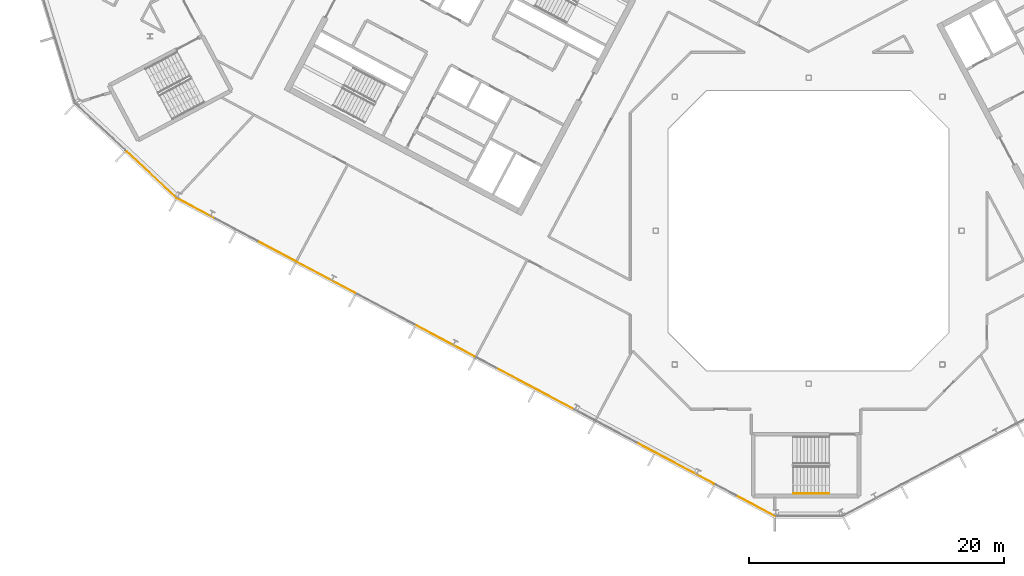
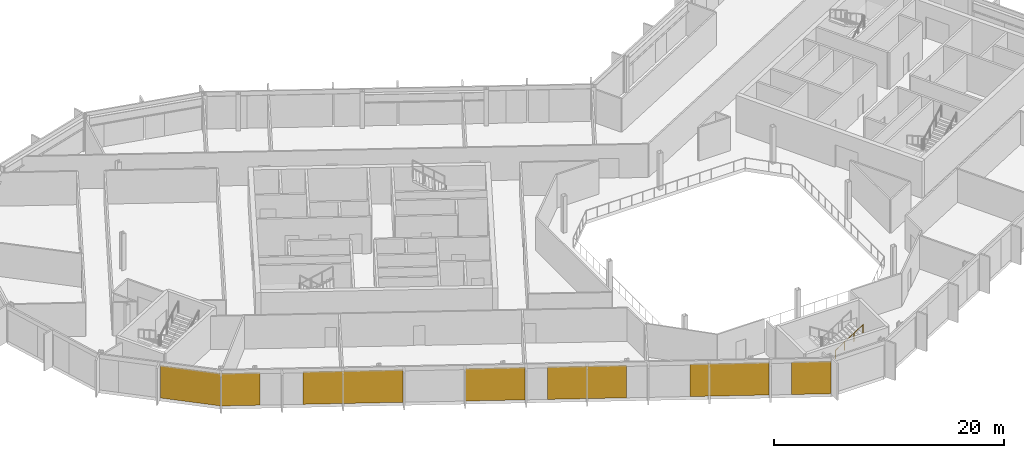
# One storey, part 19 of 26: 7 coverings, 1 railing, 2 elements without a shape of their own.
"""IFC4 building model written with IfcOpenShell, lengths in metres."""

from ifc_helpers import new_model, si_unit, direction, frame, origin, origin_2d, place, context, subcontext, project, spatial, polyline, rectangle, outline, extrude, material, layer, layer_set, type_object, element, aggregate, save


model = new_model("IFC4")

# Units and contexts
model_context = context("Model", 3, precision=1e-05, world=origin(), true_north=direction((0.0, 1.0)))
body_context = subcontext(model_context, "Body", "Model", "MODEL_VIEW")
ifc_project = project(units=[si_unit("LENGTHUNIT", "METRE"), si_unit("AREAUNIT", "SQUARE_METRE"), si_unit("VOLUMEUNIT", "CUBIC_METRE"), si_unit("PLANEANGLEUNIT", "RADIAN"), si_unit("MASSUNIT", "GRAM", prefix="KILO")], contexts=[model_context])

# Site, building, storey
site_placement = place(None, origin())
site = spatial("IfcSite", under=ifc_project, at=site_placement, CompositionType="ELEMENT")
building_placement = place(site_placement, origin())
building = spatial("IfcBuilding", under=site, at=building_placement, Name="Cormorant Relay Tower", CompositionType="ELEMENT")
storey_placement = place(building_placement, frame((0.0, 0.0, 269.699951171875)))
storey = spatial("IfcBuildingStorey", under=building, at=storey_placement, Name="L60", CompositionType="ELEMENT", Elevation=269.699951171875)

# Curtain wall, covering
ifc_material_1 = material(Name="Aluminium 6063-T6 anodised bronze", Category="aluminium")
ifc_layer_1 = layer(ifc_material_1, 0.199951171875)
ifc_layer_set_1 = layer_set([ifc_layer_1], Name="CW1 unitised bronze curtain wall with vertical fins")
curtain_wall_type = type_object("IfcCurtainWallType", Name="CW1 unitised bronze curtain wall with vertical fins", PredefinedType="NOTDEFINED", material=ifc_layer_set_1)
curtain_wall_1_placement = place(storey_placement, origin())
curtain_wall_1 = element("IfcCurtainWall", 1, at=curtain_wall_1_placement, inside=storey, type_object=curtain_wall_type, Name="CW1 curtain wall 15", PredefinedType="NOTDEFINED")
ifc_material_2 = material(Name="Pale bronze anodised aluminium insulated panel", Category="aluminium")
ifc_layer_2 = layer(ifc_material_2, 0.0400390625)
ifc_layer_set_2 = layer_set([ifc_layer_2], Name="CW1 pale bronze insulated panel 40")
covering_type = type_object("IfcCoveringType", Name="CW1 pale bronze insulated panel 40", PredefinedType="CLADDING", material=ifc_layer_set_2)
covering_1_placement = place(storey_placement, frame((-51.565185546875, 4.3974609375, 0.0), z_axis=(0.0, 0.0, 1.0), x_axis=(0.731353701619, -0.681998360062, 0.0)))
covering_1 = element("IfcCovering", 2, at=covering_1_placement, type_object=covering_type, Name="CW1 panel S02", PredefinedType="CLADDING", context=body_context, shape_type="SweptSolid", body=[
    extrude(rectangle(XDim=5.360107421875, YDim=0.0400390625, at=origin_2d()), origin(), (0.0, 0.0, 1.0), 3.449951171875),
])
aggregate(curtain_wall_1, [covering_1])

# Curtain wall, coverings
curtain_wall_2_placement = place(storey_placement, origin())
curtain_wall_2 = element("IfcCurtainWall", 3, at=curtain_wall_2_placement, inside=storey, type_object=curtain_wall_type, Name="CW1 curtain wall 16", PredefinedType="NOTDEFINED")
covering_2_placement = place(storey_placement, frame((-48.048583984375, 1.7412109375, 0.0), z_axis=(0.0, 0.0, 1.0), x_axis=(0.882947592859, -0.469471562786, 0.0)))
covering_2 = element("IfcCovering", 4, at=covering_2_placement, type_object=covering_type, Name="CW1 panel S00", PredefinedType="CLADDING", context=body_context, shape_type="SweptSolid", body=[
    extrude(rectangle(XDim=3.36669921875, YDim=0.0400390625, at=origin_2d()), origin(), (0.0, 0.0, 1.0), 3.449951171875),
])
covering_3_placement = place(storey_placement, frame((-39.417724609375, -2.847900390625, 0.0), z_axis=(0.0, 0.0, 1.0), x_axis=(0.882947592859, -0.469471562786, 0.0)))
covering_3 = element("IfcCovering", 5, at=covering_3_placement, type_object=covering_type, Name="CW1 panel S03", PredefinedType="CLADDING", context=body_context, shape_type="SweptSolid", body=[
    extrude(rectangle(XDim=8.68310546875, YDim=0.0400390625, at=origin_2d()), origin(), (0.0, 0.0, 1.0), 3.449951171875),
])
covering_4_placement = place(storey_placement, frame((-28.476806640625, -8.665283203125, 0.0), z_axis=(0.0, 0.0, 1.0), x_axis=(0.882947592859, -0.469471562786, 0.0)))
covering_4 = element("IfcCovering", 6, at=covering_4_placement, type_object=covering_type, Name="CW1 panel S05", PredefinedType="CLADDING", context=body_context, shape_type="SweptSolid", body=[
    extrude(rectangle(XDim=5.16650390625, YDim=0.0400390625, at=origin_2d()), origin(), (0.0, 0.0, 1.0), 3.449951171875),
])
covering_5_placement = place(storey_placement, frame((-21.435302734375, -12.4091796875, 0.0), z_axis=(0.0, 0.0, 1.0), x_axis=(0.882947592859, -0.469471562786, 0.0)))
covering_5 = element("IfcCovering", 7, at=covering_5_placement, type_object=covering_type, Name="CW1 panel S07", PredefinedType="CLADDING", context=body_context, shape_type="SweptSolid", body=[
    extrude(rectangle(XDim=6.88330078125, YDim=0.0400390625, at=origin_2d()), origin(), (0.0, 0.0, 1.0), 3.449951171875),
])
covering_6_placement = place(storey_placement, frame((-10.45751953125, -18.246337890625, 0.0), z_axis=(0.0, 0.0, 1.0), x_axis=(0.882947592859, -0.469471562786, 0.0)))
covering_6 = element("IfcCovering", 8, at=covering_6_placement, type_object=covering_type, Name="CW1 panel S10", PredefinedType="CLADDING", context=body_context, shape_type="SweptSolid", body=[
    extrude(rectangle(XDim=6.88330078125, YDim=0.0400390625, at=origin_2d()), origin(), (0.0, 0.0, 1.0), 3.449951171875),
])
covering_7_placement = place(storey_placement, frame((-4.177490234375, -21.58544921875, 0.0), z_axis=(0.0, 0.0, 1.0), x_axis=(0.882947592859, -0.469471562786, 0.0)))
covering_7 = element("IfcCovering", 9, at=covering_7_placement, type_object=covering_type, Name="CW1 panel S12", PredefinedType="CLADDING", context=body_context, shape_type="SweptSolid", body=[
    extrude(rectangle(XDim=3.441650390625, YDim=0.0400390625, at=origin_2d()), origin(), (0.0, 0.0, 1.0), 3.449951171875),
])
aggregate(curtain_wall_2, [covering_2, covering_3, covering_4, covering_5, covering_6, covering_7])

# Railing
ifc_material_3 = material(Name="Steel ASTM A572 Grade 50 (Fy 345 MPa)", Category="steel")
railing_type = type_object("IfcRailingType", Name="Stair handrail 900", PredefinedType="HANDRAIL", material=ifc_material_3)
railing_placement = place(storey_placement, frame((-1.199951171875, -20.625, 2.12744140625)))
element("IfcRailing", 10, at=railing_placement, inside=storey, type_object=railing_type, Name="L60 RK1 stair handrail 2", PredefinedType="HANDRAIL", context=body_context, shape_type="SweptSolid", body=[
    extrude(outline(polyline([(0.022216796875, 0.00927734375), (0.00927734375, 0.022216796875), (-0.00927734375, 0.022216796875), (-0.022216796875, 0.00927734375), (-0.022216796875, -0.00927734375), (-0.00927734375, -0.022216796875), (0.00927734375, -0.022216796875), (0.022216796875, -0.00927734375), (0.022216796875, 0.00927734375)])), frame((0.0, 0.0, 0.8759765625), z_axis=(0.844908973607, 0.0, 0.534910110503), x_axis=(0.0, 1.0, 0.0)), (0.0, 0.0, 1.0), 3.31396484375),
    extrude(outline(polyline([(0.019287109375, 0.008056640625), (0.008056640625, 0.019287109375), (-0.008056640625, 0.019287109375), (-0.019287109375, 0.008056640625), (-0.019287109375, -0.008056640625), (-0.008056640625, -0.019287109375), (0.008056640625, -0.019287109375), (0.019287109375, -0.008056640625), (0.019287109375, 0.008056640625)])), origin(), (0.0, 0.0, 1.0), 0.851806640625),
    extrude(outline(polyline([(0.019287109375, 0.008056640625), (0.008056640625, 0.019287109375), (-0.008056640625, 0.019287109375), (-0.019287109375, 0.008056640625), (-0.019287109375, -0.008056640625), (-0.008056640625, -0.019287109375), (0.008056640625, -0.019287109375), (0.019287109375, -0.008056640625), (0.019287109375, 0.008056640625)])), frame((0.933349609375, 0.0, 0.5908203125)), (0.0, 0.0, 1.0), 0.851806640625),
    extrude(outline(polyline([(0.019287109375, 0.008056640625), (0.008056640625, 0.019287109375), (-0.008056640625, 0.019287109375), (-0.019287109375, 0.008056640625), (-0.019287109375, -0.008056640625), (-0.008056640625, -0.019287109375), (0.008056640625, -0.019287109375), (0.019287109375, -0.008056640625), (0.019287109375, 0.008056640625)])), frame((1.86669921875, 0.0, 1.181884765625)), (0.0, 0.0, 1.0), 0.851806640625),
    extrude(outline(polyline([(0.019287109375, 0.008056640625), (0.008056640625, 0.019287109375), (-0.008056640625, 0.019287109375), (-0.019287109375, 0.008056640625), (-0.019287109375, -0.008056640625), (-0.008056640625, -0.019287109375), (0.008056640625, -0.019287109375), (0.019287109375, -0.008056640625), (0.019287109375, 0.008056640625)])), frame((2.800048828125, 0.0, 1.772705078125)), (0.0, 0.0, 1.0), 0.851806640625),
])

save(model, "model.ifc")
